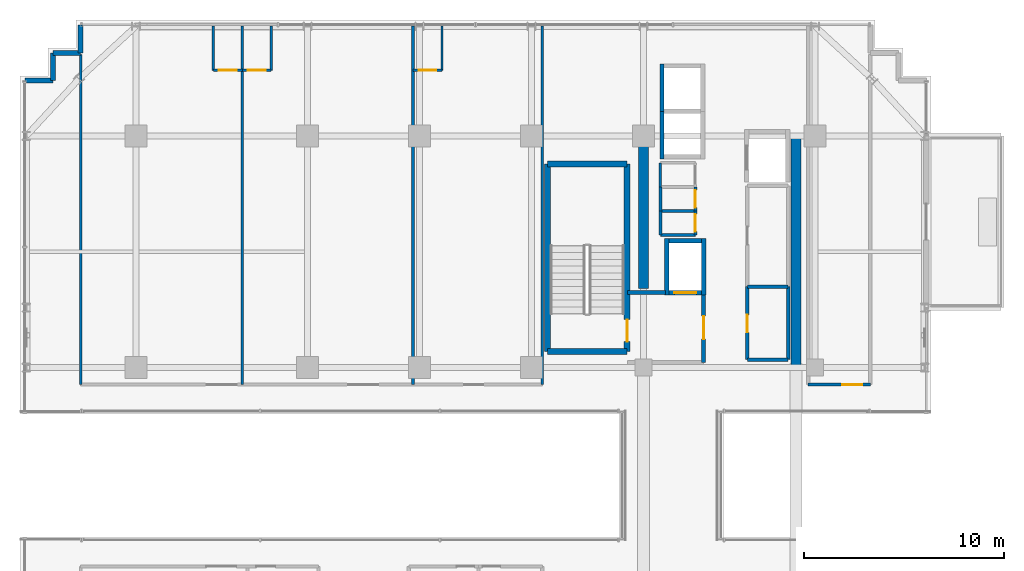
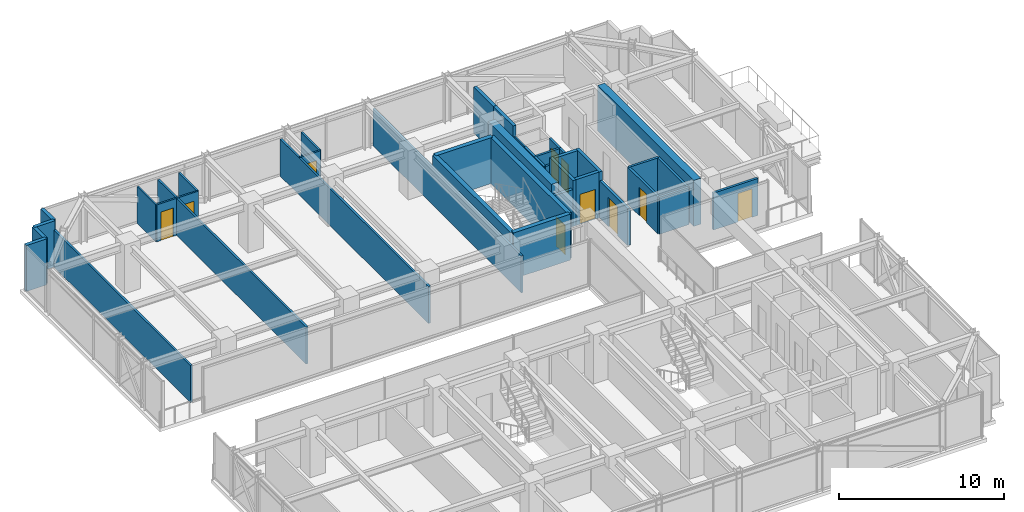
# One storey, part 33 of 38: 40 walls, 10 doors, 10 openings.
"""IFC4 building model written with IfcOpenShell, lengths in metres."""

from ifc_helpers import new_model, si_unit, direction, frame, frame_2d, origin, place, context, subcontext, project, spatial, rectangle, extrude, source, transform, mapped, material, layer, layer_set, type_object, element, fill, save


model = new_model("IFC4")

# Units and contexts
model_context = context("Model", 3, precision=1e-05, world=origin(), true_north=direction((0.0, 1.0)))
body_context = subcontext(model_context, "Body", "Model", "MODEL_VIEW")
ifc_project = project(units=[si_unit("LENGTHUNIT", "METRE"), si_unit("AREAUNIT", "SQUARE_METRE"), si_unit("VOLUMEUNIT", "CUBIC_METRE"), si_unit("PLANEANGLEUNIT", "RADIAN"), si_unit("MASSUNIT", "GRAM", prefix="KILO")], contexts=[model_context])

# Site, building, storey
site_placement = place(None, origin())
site = spatial("IfcSite", under=ifc_project, at=site_placement, CompositionType="ELEMENT")
building_placement = place(site_placement, origin())
building = spatial("IfcBuilding", under=site, at=building_placement, Name="Nahalor Promenade Grand Hotel", CompositionType="ELEMENT")
storey_placement = place(building_placement, frame((0.0, 0.0, 178.199951171875)))
storey = spatial("IfcBuildingStorey", under=building, at=storey_placement, Name="L45", CompositionType="ELEMENT", Elevation=178.199951171875)

# Walls
ifc_material_1 = material(Name="Concrete B-60 (C50/60)", Category="concrete")
ifc_layer_1 = layer(ifc_material_1, 0.5)
ifc_layer_set_1 = layer_set([ifc_layer_1], Name="Concrete B-60 (C50/60)")
wall_type_1 = type_object("IfcWallType", Name="Wall-CoreShear-500", PredefinedType="SHEAR", material=ifc_layer_set_1)
shared_shape_1 = source(origin(), body_context, "Body", "SweptSolid", [
    extrude(rectangle(XDim=7.64990234375, YDim=0.5, at=frame_2d((3.824951171875, 0.0))), origin(), (0.0, 0.0, 1.0), 3.39013671875),
])
wall_1_placement = place(storey_placement, frame((8.39990234375, 9.35009765625, 0.0), z_axis=(0.0, 0.0, 1.0), x_axis=(0.0, 1.0, 0.0)))
element("IfcWall", 1, at=wall_1_placement, inside=storey, type_object=wall_type_1, Name="CWALL-L45-NW", PredefinedType="SHEAR", context=body_context, shape_type="MappedRepresentation", body=[
    mapped(shared_shape_1, transform((0.0, 0.0, 0.0), scale=1.0)),
])
shared_shape_2 = source(origin(), body_context, "Body", "SweptSolid", [
    extrude(rectangle(XDim=11.60009765625, YDim=0.5, at=frame_2d((5.800048828125, 0.0))), origin(), (0.0, 0.0, 1.0), 3.39013671875),
])
wall_2_placement = place(storey_placement, frame((16.050048828125, 5.39990234375, 0.0), z_axis=(0.0, 0.0, 1.0), x_axis=(0.0, 1.0, 0.0)))
element("IfcWall", 2, at=wall_2_placement, inside=storey, type_object=wall_type_1, Name="CWALL-L45-NE", PredefinedType="SHEAR", context=body_context, shape_type="MappedRepresentation", body=[
    mapped(shared_shape_2, transform((0.0, 0.0, 0.0), scale=1.0)),
])
ifc_material_2 = material(Name="Concrete B-50 (C40/50)", Category="concrete")
ifc_layer_2 = layer(ifc_material_2, 0.300048828125)
ifc_layer_set_2 = layer_set([ifc_layer_2], Name="Concrete B-50 (C40/50)")
wall_type_2 = type_object("IfcWallType", Name="Wall-ShaftShear-300", PredefinedType="SHEAR", material=ifc_layer_set_2)
shared_shape_3 = source(origin(), body_context, "Body", "SweptSolid", [
    extrude(rectangle(XDim=3.97998046875, YDim=0.300048828125, at=frame_2d((1.989990234375, 0.0))), origin(), (0.0, 0.0, 1.0), 3.39013671875),
])
for number, where, z_axis, x_axis, name in (
    (3, (3.610107421875, 6.2099609375, 0.0), (0.0, 0.0, 1.0), (1.0, 0.0, 0.0), "L45 Exit Stair ST1 Shaft Wall S"),
    (4, (3.610107421875, 15.590087890625, 0.0), (0.0, 0.0, 1.0), (1.0, 0.0, 0.0), "L45 Exit Stair ST1 Shaft Wall N"),
):
    element("IfcWall", number, at=place(storey_placement, frame(where, z_axis=z_axis, x_axis=x_axis)), inside=storey, type_object=wall_type_2, Name=name, PredefinedType="SHEAR", context=body_context, shape_type="MappedRepresentation", body=[
        mapped(shared_shape_3, transform((0.0, 0.0, 0.0), scale=1.0)),
    ])
shared_shape_4 = source(origin(), body_context, "Body", "SweptSolid", [
    extrude(rectangle(XDim=9.380126953125, YDim=0.300048828125, at=frame_2d((4.68994140625, 0.0))), origin(), (0.0, 0.0, 1.0), 3.39013671875),
])
wall_3_placement = place(storey_placement, frame((3.610107421875, 6.2099609375, 0.0), z_axis=(0.0, 0.0, 1.0), x_axis=(0.0, 1.0, 0.0)))
element("IfcWall", 5, at=wall_3_placement, inside=storey, type_object=wall_type_2, Name="L45 Exit Stair ST1 Shaft Wall W", PredefinedType="SHEAR", context=body_context, shape_type="MappedRepresentation", body=[
    mapped(shared_shape_4, transform((0.0, 0.0, 0.0), scale=1.0)),
])

# Wall, opening, door
wall_4_placement = place(storey_placement, frame((7.590087890625, 6.2099609375, 0.0), z_axis=(0.0, 0.0, 1.0), x_axis=(0.0, 1.0, 0.0)))
wall_4 = element("IfcWall", 6, at=wall_4_placement, inside=storey, type_object=wall_type_2, Name="L45 Exit Stair ST1 Shaft Wall E", PredefinedType="SHEAR", context=body_context, shape_type="MappedRepresentation", body=[
    mapped(shared_shape_4, transform((0.0, 0.0, 0.0), scale=1.0)),
])
opening_1_placement = place(wall_4_placement, frame((0.489990234375, 0.0, 0.0)))
opening_1 = element("IfcOpeningElement", 7, at=opening_1_placement, cuts=wall_4, Name="Opening D-ST1", PredefinedType="OPENING", context=body_context, shape_type="SweptSolid", body=[
    extrude(rectangle(XDim=1.10009765625, YDim=2.14990234375, at=frame_2d((0.550048828125, 1.074951171875))), frame((0.0, 0.159912109375, 0.0), z_axis=(0.0, -1.0, 0.0), x_axis=(1.0, 0.0, 0.0)), (0.0, 0.0, 1.0), 0.320068359375),
])
ifc_material_3 = material(Name="Steel S355JR", Category="steel")
door_type_1 = type_object("IfcDoorType", Name="Door-StairFire-1100", OperationType="NOTDEFINED", PredefinedType="DOOR", material=ifc_material_3)
shared_shape_5 = source(origin(), body_context, "Body", "SweptSolid", [
    extrude(rectangle(XDim=1.10009765625, YDim=2.14990234375, at=frame_2d((0.550048828125, 1.074951171875))), frame((0.0, 0.02490234375, 0.0), z_axis=(0.0, -1.0, 0.0), x_axis=(1.0, 0.0, 0.0)), (0.0, 0.0, 1.0), 0.050048828125),
])
door_1_placement = place(opening_1_placement, origin())
door_1 = element("IfcDoor", 8, at=door_1_placement, inside=storey, type_object=door_type_1, Name="DR-STAIR-ST1-L45", OperationType="SINGLE_SWING_RIGHT", OverallHeight=2.14990234375, OverallWidth=1.10009765625, PredefinedType="DOOR", context=body_context, shape_type="MappedRepresentation", body=[
    mapped(shared_shape_5, transform((0.0, 0.0, 0.0), scale=1.0)),
])
fill(opening_1, door_1)

# Walls
ifc_layer_3 = layer(ifc_material_2, 0.219970703125)
ifc_layer_set_3 = layer_set([ifc_layer_3], Name="Concrete B-50 (C40/50)")
wall_type_3 = type_object("IfcWallType", Name="Wall-LiftShaft-220", PredefinedType="SHEAR", material=ifc_layer_set_3)
shared_shape_6 = source(origin(), body_context, "Body", "SweptSolid", [
    extrude(rectangle(XDim=2.385009765625, YDim=0.219970703125, at=frame_2d((1.1923828125, 0.0))), origin(), (0.0, 0.0, 1.0), 3.39013671875),
])
for number, where, z_axis, x_axis, name in (
    (9, (9.330078125, 15.840087890625, 0.0), (0.0, 0.0, 1.0), (0.0, 1.0, 0.0), "L45 Lift OB1 Hoistway Wall W"),
    (10, (9.330078125, 18.22509765625, 0.0), (0.0, 0.0, 1.0), (0.0, 1.0, 0.0), "L45 Lift OB2 Hoistway Wall W"),
):
    element("IfcWall", number, at=place(storey_placement, frame(where, z_axis=z_axis, x_axis=x_axis)), inside=storey, type_object=wall_type_3, Name=name, PredefinedType="SHEAR", context=body_context, shape_type="MappedRepresentation", body=[
        mapped(shared_shape_6, transform((0.0, 0.0, 0.0), scale=1.0)),
    ])
shared_shape_7 = source(origin(), body_context, "Body", "SweptSolid", [
    extrude(rectangle(XDim=2.820068359375, YDim=0.219970703125, at=frame_2d((1.41015625, 0.0))), origin(), (0.0, 0.0, 1.0), 3.39013671875),
])
for number, where, z_axis, x_axis, name in (
    (11, (9.580078125, 9.0400390625, 0.0), (0.0, 0.0, 1.0), (0.0, 1.0, 0.0), "L45 Lift FL1 Hoistway Wall W"),
    (12, (11.419921875, 9.0400390625, 0.0), (0.0, 0.0, 1.0), (0.0, 1.0, 0.0), "L45 Lift FL1 Hoistway Wall E"),
):
    element("IfcWall", number, at=place(storey_placement, frame(where, z_axis=z_axis, x_axis=x_axis)), inside=storey, type_object=wall_type_3, Name=name, PredefinedType="SHEAR", context=body_context, shape_type="MappedRepresentation", body=[
        mapped(shared_shape_7, transform((0.0, 0.0, 0.0), scale=1.0)),
    ])

# Wall, opening, door
shared_shape_8 = source(origin(), body_context, "Body", "SweptSolid", [
    extrude(rectangle(XDim=1.6201171875, YDim=0.219970703125, at=frame_2d((0.81005859375, 0.0))), origin(), (0.0, 0.0, 1.0), 3.39013671875),
])
wall_5_placement = place(storey_placement, frame((9.68994140625, 9.14990234375, 0.0), z_axis=(0.0, 0.0, 1.0), x_axis=(1.0, 0.0, 0.0)))
wall_5 = element("IfcWall", 13, at=wall_5_placement, inside=storey, type_object=wall_type_3, Name="L45 Lift FL1 Hoistway Wall S", PredefinedType="SHEAR", context=body_context, shape_type="MappedRepresentation", body=[
    mapped(shared_shape_8, transform((0.0, 0.0, 0.0), scale=1.0)),
])
opening_2_placement = place(wall_5_placement, frame((0.260009765625, 0.0, 0.0)))
opening_2 = element("IfcOpeningElement", 14, at=opening_2_placement, cuts=wall_5, Name="Opening LD-02", PredefinedType="OPENING", context=body_context, shape_type="SweptSolid", body=[
    extrude(rectangle(XDim=1.10009765625, YDim=2.199951171875, at=frame_2d((0.550048828125, 1.10009765625))), frame((0.0, 0.119873046875, 0.0), z_axis=(0.0, -1.0, 0.0), x_axis=(1.0, 0.0, 0.0)), (0.0, 0.0, 1.0), 0.239990234375),
])
door_type_2 = type_object("IfcDoorType", Name="Door-LiftFF-1100", OperationType="DOUBLE_DOOR_SLIDING", PredefinedType="DOOR", material=ifc_material_3)
shared_shape_9 = source(origin(), body_context, "Body", "SweptSolid", [
    extrude(rectangle(XDim=1.10009765625, YDim=2.199951171875, at=frame_2d((0.550048828125, 1.10009765625))), frame((0.0, 0.02490234375, 0.0), z_axis=(0.0, -1.0, 0.0), x_axis=(1.0, 0.0, 0.0)), (0.0, 0.0, 1.0), 0.050048828125),
])
door_2_placement = place(opening_2_placement, frame((1.10009765625, 0.0, 0.0), z_axis=(0.0, 0.0, 1.0), x_axis=(-1.0, 0.0, 0.0)))
door_2 = element("IfcDoor", 15, at=door_2_placement, inside=storey, type_object=door_type_2, Name="DR-LIFT-FL1-L45", OperationType="DOUBLE_DOOR_SLIDING", OverallHeight=2.199951171875, OverallWidth=1.10009765625, PredefinedType="DOOR", context=body_context, shape_type="MappedRepresentation", body=[
    mapped(shared_shape_9, transform((0.0, 0.0, 0.0), scale=1.0)),
])
fill(opening_2, door_2)

# Walls
wall_6_placement = place(storey_placement, frame((9.68994140625, 11.75, 0.0), z_axis=(0.0, 0.0, 1.0), x_axis=(1.0, 0.0, 0.0)))
element("IfcWall", 16, at=wall_6_placement, inside=storey, type_object=wall_type_3, Name="L45 Lift FL1 Hoistway Wall N", PredefinedType="SHEAR", context=body_context, shape_type="MappedRepresentation", body=[
    mapped(shared_shape_8, transform((0.0, 0.0, 0.0), scale=1.0)),
])
ifc_material_4 = material(Name="Concrete B-40 (C32/40)", Category="concrete")
ifc_layer_4 = layer(ifc_material_4, 0.25)
ifc_layer_set_4 = layer_set([ifc_layer_4], Name="Concrete B-40 (C32/40)")
wall_type_4 = type_object("IfcWallType", Name="Wall-BronzePier-250", PredefinedType="STANDARD", material=ifc_layer_set_4)
shared_shape_10 = source(origin(), body_context, "Body", "SweptSolid", [
    extrude(rectangle(XDim=1.400146484375, YDim=0.25, at=frame_2d((0.7001953125, 0.0))), origin(), (0.0, 0.0, 1.0), 3.39013671875),
])
for number, where, z_axis, x_axis, name in (
    (17, (-19.760009765625, 21.159912109375, 0.0), (0.0, 0.0, 1.0), (0.0, 1.0, 0.0), "W-L45-SR-09"),
    (18, (-22.56005859375, 19.760009765625, 0.0), (0.0, 0.0, 1.0), (1.0, 0.0, 0.0), "W-L45-SR-12"),
):
    element("IfcWall", number, at=place(storey_placement, frame(where, z_axis=z_axis, x_axis=x_axis)), inside=storey, type_object=wall_type_4, Name=name, PredefinedType="STANDARD", context=body_context, shape_type="MappedRepresentation", body=[
        mapped(shared_shape_10, transform((0.0, 0.0, 0.0), scale=1.0)),
    ])
shared_shape_11 = source(origin(), body_context, "Body", "SweptSolid", [
    extrude(rectangle(XDim=1.39990234375, YDim=0.25, at=frame_2d((0.699951171875, 0.0))), origin(), (0.0, 0.0, 1.0), 3.39013671875),
])
for number, where, z_axis, x_axis, name in (
    (19, (-21.159912109375, 21.159912109375, 0.0), (0.0, 0.0, 1.0), (1.0, 0.0, 0.0), "W-L45-SR-10"),
    (20, (-21.159912109375, 19.760009765625, 0.0), (0.0, 0.0, 1.0), (0.0, 1.0, 0.0), "W-L45-SR-11"),
):
    element("IfcWall", number, at=place(storey_placement, frame(where, z_axis=z_axis, x_axis=x_axis)), inside=storey, type_object=wall_type_4, Name=name, PredefinedType="STANDARD", context=body_context, shape_type="MappedRepresentation", body=[
        mapped(shared_shape_11, transform((0.0, 0.0, 0.0), scale=1.0)),
    ])
ifc_layer_5 = layer(ifc_material_4, 0.199951171875)
ifc_layer_set_5 = layer_set([ifc_layer_5], Name="Concrete B-40 (C32/40)")
wall_type_5 = type_object("IfcWallType", Name="Wall-PartFire-200", PredefinedType="PARTITIONING", material=ifc_layer_set_5)
shared_shape_12 = source(origin(), body_context, "Body", "SweptSolid", [
    extrude(rectangle(XDim=1.89990234375, YDim=0.199951171875, at=frame_2d((0.949951171875, 0.0))), origin(), (0.0, 0.0, 1.0), 2.72998046875),
])
wall_7_placement = place(storey_placement, frame((7.60009765625, 9.14990234375, 0.0), z_axis=(0.0, 0.0, 1.0), x_axis=(1.0, 0.0, 0.0)))
element("IfcWall", 21, at=wall_7_placement, inside=storey, type_object=wall_type_5, Name="W-L45-FF1-N", PredefinedType="PARTITIONING", context=body_context, shape_type="MappedRepresentation", body=[
    mapped(shared_shape_12, transform((0.0, 0.0, 0.0), scale=1.0)),
])

# Wall, opening, door
shared_shape_13 = source(origin(), body_context, "Body", "SweptSolid", [
    extrude(rectangle(XDim=3.5, YDim=0.199951171875, at=frame_2d((1.75, 0.0))), origin(), (0.0, 0.0, 1.0), 2.72998046875),
])
wall_8_placement = place(storey_placement, frame((11.419921875, 5.64990234375, 0.0), z_axis=(0.0, 0.0, 1.0), x_axis=(0.0, 1.0, 0.0)))
wall_8 = element("IfcWall", 22, at=wall_8_placement, inside=storey, type_object=wall_type_5, Name="W-L45-FF1-E", PredefinedType="PARTITIONING", context=body_context, shape_type="MappedRepresentation", body=[
    mapped(shared_shape_13, transform((0.0, 0.0, 0.0), scale=1.0)),
])
opening_3_placement = place(wall_8_placement, frame((1.175048828125, 0.0, 0.0)))
opening_3 = element("IfcOpeningElement", 23, at=opening_3_placement, cuts=wall_8, Name="Opening D-FF1", PredefinedType="OPENING", context=body_context, shape_type="SweptSolid", body=[
    extrude(rectangle(XDim=1.14990234375, YDim=2.14990234375, at=frame_2d((0.574951171875, 1.074951171875))), frame((0.0, 0.10986328125, 0.0), z_axis=(0.0, -1.0, 0.0), x_axis=(1.0, 0.0, 0.0)), (0.0, 0.0, 1.0), 0.219970703125),
])
door_type_3 = type_object("IfcDoorType", Name="Door-FFLobby-1150", OperationType="NOTDEFINED", PredefinedType="DOOR", material=ifc_material_3)
shared_shape_14 = source(origin(), body_context, "Body", "SweptSolid", [
    extrude(rectangle(XDim=1.14990234375, YDim=2.14990234375, at=frame_2d((0.574951171875, 1.074951171875))), frame((0.0, 0.02490234375, 0.0), z_axis=(0.0, -1.0, 0.0), x_axis=(1.0, 0.0, 0.0)), (0.0, 0.0, 1.0), 0.050048828125),
])
door_3_placement = place(opening_3_placement, frame((1.14990234375, 0.0, 0.0), z_axis=(0.0, 0.0, 1.0), x_axis=(-1.0, 0.0, 0.0)))
door_3 = element("IfcDoor", 24, at=door_3_placement, inside=storey, type_object=door_type_3, Name="DR-L45-FFL1", OperationType="SINGLE_SWING_LEFT", OverallHeight=2.14990234375, OverallWidth=1.14990234375, PredefinedType="DOOR", context=body_context, shape_type="MappedRepresentation", body=[
    mapped(shared_shape_14, transform((0.0, 0.0, 0.0), scale=1.0)),
])
fill(opening_3, door_3)

# Walls
ifc_material_5 = material(Name="Acoustic Mineral Gypsum", Category="gypsum")
ifc_layer_6 = layer(ifc_material_5, 0.14990234375)
ifc_layer_set_6 = layer_set([ifc_layer_6], Name="Acoustic Mineral Gypsum")
wall_type_6 = type_object("IfcWallType", Name="Wall-PartService-150", PredefinedType="PARTITIONING", material=ifc_layer_set_6)
shared_shape_15 = source(origin(), body_context, "Body", "SweptSolid", [
    extrude(rectangle(XDim=1.75, YDim=0.14990234375, at=frame_2d((0.875, 0.0))), origin(), (0.0, 0.0, 1.0), 2.72998046875),
])
for number, where, z_axis, x_axis, name in (
    (25, (9.25, 12.050048828125, 0.0), (0.0, 0.0, 1.0), (1.0, 0.0, 0.0), "W-L45-CK3A-S"),
    (26, (9.25, 13.25, 0.0), (0.0, 0.0, 1.0), (1.0, 0.0, 0.0), "W-L45-CK3A-N"),
):
    element("IfcWall", number, at=place(storey_placement, frame(where, z_axis=z_axis, x_axis=x_axis)), inside=storey, type_object=wall_type_6, Name=name, PredefinedType="PARTITIONING", context=body_context, shape_type="MappedRepresentation", body=[
        mapped(shared_shape_15, transform((0.0, 0.0, 0.0), scale=1.0)),
    ])
ifc_layer_7 = layer(ifc_material_5, 0.159912109375)
ifc_layer_set_7 = layer_set([ifc_layer_7], Name="Acoustic Mineral Gypsum")
wall_type_7 = type_object("IfcWallType", Name="Wall-PartCorridor-160", PredefinedType="PARTITIONING", material=ifc_layer_set_7)
shared_shape_16 = source(origin(), body_context, "Body", "SweptSolid", [
    extrude(rectangle(XDim=2.0498046875, YDim=0.159912109375, at=frame_2d((1.02490234375, 0.0))), origin(), (0.0, 0.0, 1.0), 2.72998046875),
])
for number, where, z_axis, x_axis, name in (
    (27, (13.60009765625, 5.800048828125, 0.0), (0.0, 0.0, 1.0), (1.0, 0.0, 0.0), "W-L45-FRB1A-S"),
    (28, (13.60009765625, 9.449951171875, 0.0), (0.0, 0.0, 1.0), (1.0, 0.0, 0.0), "W-L45-FRB1A-N"),
):
    element("IfcWall", number, at=place(storey_placement, frame(where, z_axis=z_axis, x_axis=x_axis)), inside=storey, type_object=wall_type_7, Name=name, PredefinedType="PARTITIONING", context=body_context, shape_type="MappedRepresentation", body=[
        mapped(shared_shape_16, transform((0.0, 0.0, 0.0), scale=1.0)),
    ])

# Wall, opening, door
shared_shape_17 = source(origin(), body_context, "Body", "SweptSolid", [
    extrude(rectangle(XDim=3.110107421875, YDim=0.159912109375, at=frame_2d((1.55517578125, 0.0))), origin(), (0.0, 0.0, 1.0), 2.72998046875),
])
wall_9_placement = place(storey_placement, frame((16.64990234375, 4.550048828125, 0.0), z_axis=(0.0, 0.0, 1.0), x_axis=(1.0, 0.0, 0.0)))
wall_9 = element("IfcWall", 29, at=wall_9_placement, inside=storey, type_object=wall_type_7, Name="W-L45-ENE-S", PredefinedType="PARTITIONING", context=body_context, shape_type="MappedRepresentation", body=[
    mapped(shared_shape_17, transform((0.0, 0.0, 0.0), scale=1.0)),
])
opening_4_placement = place(wall_9_placement, frame((1.700927734375, 0.0, 0.0)))
opening_4 = element("IfcOpeningElement", 30, at=opening_4_placement, cuts=wall_9, Name="Opening D-04", PredefinedType="OPENING", context=body_context, shape_type="SweptSolid", body=[
    extrude(rectangle(XDim=1.0, YDim=2.10009765625, at=frame_2d((0.5, 1.050048828125))), frame((0.0, 0.08984375, 0.0), z_axis=(0.0, -1.0, 0.0), x_axis=(1.0, 0.0, 0.0)), (0.0, 0.0, 1.0), 0.179931640625),
])
door_type_4 = type_object("IfcDoorType", Name="Door-ServiceFire-1000", OperationType="NOTDEFINED", PredefinedType="DOOR", material=ifc_material_3)
shared_shape_18 = source(origin(), body_context, "Body", "SweptSolid", [
    extrude(rectangle(XDim=1.0, YDim=2.10009765625, at=frame_2d((0.5, 1.050048828125))), frame((0.0, 0.02490234375, 0.0), z_axis=(0.0, -1.0, 0.0), x_axis=(1.0, 0.0, 0.0)), (0.0, 0.0, 1.0), 0.050048828125),
])
door_4_placement = place(opening_4_placement, origin())
door_4 = element("IfcDoor", 31, at=door_4_placement, inside=storey, type_object=door_type_4, Name="DR-L45-ENE", OperationType="SINGLE_SWING_RIGHT", OverallHeight=2.10009765625, OverallWidth=1.0, PredefinedType="DOOR", context=body_context, shape_type="MappedRepresentation", body=[
    mapped(shared_shape_18, transform((0.0, 0.0, 0.0), scale=1.0)),
])
fill(opening_4, door_4)

ifc_layer_8 = layer(ifc_material_5, 0.1201171875)
ifc_layer_set_8 = layer_set([ifc_layer_8], Name="Acoustic Mineral Gypsum")
wall_type_8 = type_object("IfcWallType", Name="Wall-PartBath-120", PredefinedType="PARTITIONING", material=ifc_layer_set_8)
shared_shape_19 = source(origin(), body_context, "Body", "SweptSolid", [
    extrude(rectangle(XDim=1.449951171875, YDim=0.1201171875, at=frame_2d((0.72509765625, 0.0))), origin(), (0.0, 0.0, 1.0), 2.72998046875),
])
wall_10_placement = place(storey_placement, frame((-13.125, 20.280029296875, 0.0), z_axis=(0.0, 0.0, 1.0), x_axis=(1.0, 0.0, 0.0)))
wall_10 = element("IfcWall", 32, at=wall_10_placement, inside=storey, type_object=wall_type_8, Name="W-L45-N1-BH", PredefinedType="PARTITIONING", context=body_context, shape_type="MappedRepresentation", body=[
    mapped(shared_shape_19, transform((0.0, 0.0, 0.0), scale=1.0)),
])
opening_5_placement = place(wall_10_placement, frame((0.284912109375, 0.0, 0.0)))
opening_5 = element("IfcOpeningElement", 33, at=opening_5_placement, cuts=wall_10, Name="Opening D-03", PredefinedType="OPENING", context=body_context, shape_type="SweptSolid", body=[
    extrude(rectangle(XDim=0.8798828125, YDim=2.10009765625, at=frame_2d((0.43994140625, 1.050048828125))), frame((0.0, 0.070068359375, 0.0), z_axis=(0.0, -1.0, 0.0), x_axis=(1.0, 0.0, 0.0)), (0.0, 0.0, 1.0), 0.14013671875),
])
ifc_material_6 = material(Name="Fire-Rated Timber Composite", Category="wood")
door_type_5 = type_object("IfcDoorType", Name="Door-BathSwing-880", OperationType="NOTDEFINED", PredefinedType="DOOR", material=ifc_material_6)
shared_shape_20 = source(origin(), body_context, "Body", "SweptSolid", [
    extrude(rectangle(XDim=0.8798828125, YDim=2.10009765625, at=frame_2d((0.43994140625, 1.050048828125))), frame((0.0, 0.02490234375, 0.0), z_axis=(0.0, -1.0, 0.0), x_axis=(1.0, 0.0, 0.0)), (0.0, 0.0, 1.0), 0.050048828125),
])
door_5_placement = place(opening_5_placement, origin())
door_5 = element("IfcDoor", 34, at=door_5_placement, inside=storey, type_object=door_type_5, Name="DR-L45-N1-BATH", OperationType="SINGLE_SWING_RIGHT", OverallHeight=2.10009765625, OverallWidth=0.8798828125, PredefinedType="DOOR", context=body_context, shape_type="MappedRepresentation", body=[
    mapped(shared_shape_20, transform((0.0, 0.0, 0.0), scale=1.0)),
])
fill(opening_5, door_5)

wall_11_placement = place(storey_placement, frame((-11.675048828125, 20.280029296875, 0.0), z_axis=(0.0, 0.0, 1.0), x_axis=(1.0, 0.0, 0.0)))
wall_11 = element("IfcWall", 35, at=wall_11_placement, inside=storey, type_object=wall_type_8, Name="W-L45-N2-BH", PredefinedType="PARTITIONING", context=body_context, shape_type="MappedRepresentation", body=[
    mapped(shared_shape_19, transform((0.0, 0.0, 0.0), scale=1.0)),
])
opening_6_placement = place(wall_11_placement, frame((0.284912109375, 0.0, 0.0)))
opening_6 = element("IfcOpeningElement", 36, at=opening_6_placement, cuts=wall_11, Name="Opening D-03", PredefinedType="OPENING", context=body_context, shape_type="SweptSolid", body=[
    extrude(rectangle(XDim=0.8798828125, YDim=2.10009765625, at=frame_2d((0.43994140625, 1.050048828125))), frame((0.0, 0.070068359375, 0.0), z_axis=(0.0, -1.0, 0.0), x_axis=(1.0, 0.0, 0.0)), (0.0, 0.0, 1.0), 0.14013671875),
])
door_6_placement = place(opening_6_placement, origin())
door_6 = element("IfcDoor", 37, at=door_6_placement, inside=storey, type_object=door_type_5, Name="DR-L45-N2-BATH", OperationType="SINGLE_SWING_LEFT", OverallHeight=2.10009765625, OverallWidth=0.8798828125, PredefinedType="DOOR", context=body_context, shape_type="MappedRepresentation", body=[
    mapped(shared_shape_20, transform((0.0, 0.0, 0.0), scale=1.0)),
])
fill(opening_6, door_6)

wall_12_placement = place(storey_placement, frame((-3.1279296875, 20.280029296875, 0.0), z_axis=(0.0, 0.0, 1.0), x_axis=(1.0, 0.0, 0.0)))
wall_12 = element("IfcWall", 38, at=wall_12_placement, inside=storey, type_object=wall_type_8, Name="W-L45-N3-BH", PredefinedType="PARTITIONING", context=body_context, shape_type="MappedRepresentation", body=[
    mapped(shared_shape_19, transform((0.0, 0.0, 0.0), scale=1.0)),
])
opening_7_placement = place(wall_12_placement, frame((0.284912109375, 0.0, 0.0)))
opening_7 = element("IfcOpeningElement", 39, at=opening_7_placement, cuts=wall_12, Name="Opening D-03", PredefinedType="OPENING", context=body_context, shape_type="SweptSolid", body=[
    extrude(rectangle(XDim=0.8798828125, YDim=2.10009765625, at=frame_2d((0.43994140625, 1.050048828125))), frame((0.0, 0.070068359375, 0.0), z_axis=(0.0, -1.0, 0.0), x_axis=(1.0, 0.0, 0.0)), (0.0, 0.0, 1.0), 0.14013671875),
])
door_7_placement = place(opening_7_placement, origin())
door_7 = element("IfcDoor", 40, at=door_7_placement, inside=storey, type_object=door_type_5, Name="DR-L45-N3-BATH", OperationType="SINGLE_SWING_RIGHT", OverallHeight=2.10009765625, OverallWidth=0.8798828125, PredefinedType="DOOR", context=body_context, shape_type="MappedRepresentation", body=[
    mapped(shared_shape_20, transform((0.0, 0.0, 0.0), scale=1.0)),
])
fill(opening_7, door_7)

# Walls
shared_shape_21 = source(origin(), body_context, "Body", "SweptSolid", [
    extrude(rectangle(XDim=2.219970703125, YDim=0.1201171875, at=frame_2d((1.10986328125, 0.0))), origin(), (0.0, 0.0, 1.0), 2.72998046875),
])
for number, where, z_axis, x_axis, name in (
    (41, (-13.125, 20.280029296875, 0.0), (0.0, 0.0, 1.0), (0.0, 1.0, 0.0), "W-L45-N1-BV"),
    (42, (-10.22509765625, 20.280029296875, 0.0), (0.0, 0.0, 1.0), (0.0, 1.0, 0.0), "W-L45-N2-BV"),
    (43, (-1.677978515625, 20.280029296875, 0.0), (0.0, 0.0, 1.0), (0.0, 1.0, 0.0), "W-L45-N3-BV"),
):
    element("IfcWall", number, at=place(storey_placement, frame(where, z_axis=z_axis, x_axis=x_axis)), inside=storey, type_object=wall_type_8, Name=name, PredefinedType="PARTITIONING", context=body_context, shape_type="MappedRepresentation", body=[
        mapped(shared_shape_21, transform((0.0, 0.0, 0.0), scale=1.0)),
    ])
ifc_layer_9 = layer(ifc_material_5, 0.139892578125)
ifc_layer_set_9 = layer_set([ifc_layer_9], Name="Acoustic Mineral Gypsum")
wall_type_9 = type_object("IfcWallType", Name="Wall-PartSuite-140", PredefinedType="PARTITIONING", material=ifc_layer_set_9)
shared_shape_22 = source(origin(), body_context, "Body", "SweptSolid", [
    extrude(rectangle(XDim=17.949951171875, YDim=0.139892578125, at=frame_2d((8.97509765625, 0.0))), origin(), (0.0, 0.0, 1.0), 2.72998046875),
])
for number, where, z_axis, x_axis, name in (
    (44, (3.340087890625, 4.550048828125, 0.0), (0.0, 0.0, 1.0), (0.0, 1.0, 0.0), "W-L45-NW-ENDE"),
    (45, (-11.675048828125, 4.550048828125, 0.0), (0.0, 0.0, 1.0), (0.0, 1.0, 0.0), "W-L45-NP-1"),
    (46, (-3.1279296875, 4.550048828125, 0.0), (0.0, 0.0, 1.0), (0.0, 1.0, 0.0), "W-L45-NP-2"),
):
    element("IfcWall", number, at=place(storey_placement, frame(where, z_axis=z_axis, x_axis=x_axis)), inside=storey, type_object=wall_type_9, Name=name, PredefinedType="PARTITIONING", context=body_context, shape_type="MappedRepresentation", body=[
        mapped(shared_shape_22, transform((0.0, 0.0, 0.0), scale=1.0)),
    ])
shared_shape_23 = source(origin(), body_context, "Body", "SweptSolid", [
    extrude(rectangle(XDim=1.199951171875, YDim=0.14990234375, at=frame_2d((0.60009765625, 0.0))), origin(), (0.0, 0.0, 1.0), 2.72998046875),
])
wall_13_placement = place(storey_placement, frame((9.25, 12.050048828125, 0.0), z_axis=(0.0, 0.0, 1.0), x_axis=(0.0, 1.0, 0.0)))
element("IfcWall", 47, at=wall_13_placement, inside=storey, type_object=wall_type_6, Name="W-L45-CK3A-W", PredefinedType="PARTITIONING", context=body_context, shape_type="MappedRepresentation", body=[
    mapped(shared_shape_23, transform((0.0, 0.0, 0.0), scale=1.0)),
])

# Wall, opening, door
wall_14_placement = place(storey_placement, frame((11.0, 12.050048828125, 0.0), z_axis=(0.0, 0.0, 1.0), x_axis=(0.0, 1.0, 0.0)))
wall_14 = element("IfcWall", 48, at=wall_14_placement, inside=storey, type_object=wall_type_6, Name="W-L45-CK3A-E", PredefinedType="PARTITIONING", context=body_context, shape_type="MappedRepresentation", body=[
    mapped(shared_shape_23, transform((0.0, 0.0, 0.0), scale=1.0)),
])
opening_8_placement = place(wall_14_placement, frame((0.159912109375, 0.0, 0.0)))
opening_8 = element("IfcOpeningElement", 49, at=opening_8_placement, cuts=wall_14, Name="Opening D-03", PredefinedType="OPENING", context=body_context, shape_type="SweptSolid", body=[
    extrude(rectangle(XDim=0.8798828125, YDim=2.10009765625, at=frame_2d((0.43994140625, 1.050048828125))), frame((0.0, 0.0849609375, 0.0), z_axis=(0.0, -1.0, 0.0), x_axis=(1.0, 0.0, 0.0)), (0.0, 0.0, 1.0), 0.169921875),
])
door_8_placement = place(opening_8_placement, origin())
door_8 = element("IfcDoor", 50, at=door_8_placement, inside=storey, type_object=door_type_5, Name="DR-L45-CK3A", OperationType="SINGLE_SWING_LEFT", OverallHeight=2.10009765625, OverallWidth=0.8798828125, PredefinedType="DOOR", context=body_context, shape_type="MappedRepresentation", body=[
    mapped(shared_shape_20, transform((0.0, 0.0, 0.0), scale=1.0)),
])
fill(opening_8, door_8)

# Wall
wall_15_placement = place(storey_placement, frame((9.25, 13.25, 0.0), z_axis=(0.0, 0.0, 1.0), x_axis=(0.0, 1.0, 0.0)))
element("IfcWall", 51, at=wall_15_placement, inside=storey, type_object=wall_type_6, Name="W-L45-CK3B-W", PredefinedType="PARTITIONING", context=body_context, shape_type="MappedRepresentation", body=[
    mapped(shared_shape_23, transform((0.0, 0.0, 0.0), scale=1.0)),
])

# Wall, opening, door
wall_16_placement = place(storey_placement, frame((11.0, 13.25, 0.0), z_axis=(0.0, 0.0, 1.0), x_axis=(0.0, 1.0, 0.0)))
wall_16 = element("IfcWall", 52, at=wall_16_placement, inside=storey, type_object=wall_type_6, Name="W-L45-CK3B-E", PredefinedType="PARTITIONING", context=body_context, shape_type="MappedRepresentation", body=[
    mapped(shared_shape_23, transform((0.0, 0.0, 0.0), scale=1.0)),
])
opening_9_placement = place(wall_16_placement, frame((0.159912109375, 0.0, 0.0)))
opening_9 = element("IfcOpeningElement", 53, at=opening_9_placement, cuts=wall_16, Name="Opening D-03", PredefinedType="OPENING", context=body_context, shape_type="SweptSolid", body=[
    extrude(rectangle(XDim=0.8798828125, YDim=2.10009765625, at=frame_2d((0.43994140625, 1.050048828125))), frame((0.0, 0.0849609375, 0.0), z_axis=(0.0, -1.0, 0.0), x_axis=(1.0, 0.0, 0.0)), (0.0, 0.0, 1.0), 0.169921875),
])
door_9_placement = place(opening_9_placement, origin())
door_9 = element("IfcDoor", 54, at=door_9_placement, inside=storey, type_object=door_type_5, Name="DR-L45-CK3B", OperationType="SINGLE_SWING_RIGHT", OverallHeight=2.10009765625, OverallWidth=0.8798828125, PredefinedType="DOOR", context=body_context, shape_type="MappedRepresentation", body=[
    mapped(shared_shape_20, transform((0.0, 0.0, 0.0), scale=1.0)),
])
fill(opening_9, door_9)

# Wall
shared_shape_24 = source(origin(), body_context, "Body", "SweptSolid", [
    extrude(rectangle(XDim=1.199951171875, YDim=0.1201171875, at=frame_2d((0.60009765625, 0.0))), origin(), (0.0, 0.0, 1.0), 2.72998046875),
])
wall_17_placement = place(storey_placement, frame((9.25, 14.449951171875, 0.0), z_axis=(0.0, 0.0, 1.0), x_axis=(0.0, 1.0, 0.0)))
element("IfcWall", 55, at=wall_17_placement, inside=storey, type_object=wall_type_8, Name="W-L45-CK3C-W", PredefinedType="PARTITIONING", context=body_context, shape_type="MappedRepresentation", body=[
    mapped(shared_shape_24, transform((0.0, 0.0, 0.0), scale=1.0)),
])

# Wall, opening, door
shared_shape_25 = source(origin(), body_context, "Body", "SweptSolid", [
    extrude(rectangle(XDim=3.64990234375, YDim=0.159912109375, at=frame_2d((1.824951171875, 0.0))), origin(), (0.0, 0.0, 1.0), 2.72998046875),
])
wall_18_placement = place(storey_placement, frame((13.60009765625, 5.800048828125, 0.0), z_axis=(0.0, 0.0, 1.0), x_axis=(0.0, 1.0, 0.0)))
wall_18 = element("IfcWall", 56, at=wall_18_placement, inside=storey, type_object=wall_type_7, Name="W-L45-FRB1A-W", PredefinedType="PARTITIONING", context=body_context, shape_type="MappedRepresentation", body=[
    mapped(shared_shape_25, transform((0.0, 0.0, 0.0), scale=1.0)),
])
opening_10_placement = place(wall_18_placement, frame((1.360107421875, 0.0, 0.0)))
opening_10 = element("IfcOpeningElement", 57, at=opening_10_placement, cuts=wall_18, Name="Opening D-03", PredefinedType="OPENING", context=body_context, shape_type="SweptSolid", body=[
    extrude(rectangle(XDim=0.8798828125, YDim=2.10009765625, at=frame_2d((0.43994140625, 1.050048828125))), frame((0.0, 0.08984375, 0.0), z_axis=(0.0, -1.0, 0.0), x_axis=(1.0, 0.0, 0.0)), (0.0, 0.0, 1.0), 0.179931640625),
])
door_10_placement = place(opening_10_placement, frame((0.8798828125, 0.0, 0.0), z_axis=(0.0, 0.0, 1.0), x_axis=(-1.0, 0.0, 0.0)))
door_10 = element("IfcDoor", 58, at=door_10_placement, inside=storey, type_object=door_type_5, Name="DR-L45-FRB1A", OperationType="SINGLE_SWING_RIGHT", OverallHeight=2.10009765625, OverallWidth=0.8798828125, PredefinedType="DOOR", context=body_context, shape_type="MappedRepresentation", body=[
    mapped(shared_shape_20, transform((0.0, 0.0, 0.0), scale=1.0)),
])
fill(opening_10, door_10)

# Walls
wall_19_placement = place(storey_placement, frame((15.64990234375, 5.800048828125, 0.0), z_axis=(0.0, 0.0, 1.0), x_axis=(0.0, 1.0, 0.0)))
element("IfcWall", 59, at=wall_19_placement, inside=storey, type_object=wall_type_7, Name="W-L45-FRB1A-E", PredefinedType="PARTITIONING", context=body_context, shape_type="MappedRepresentation", body=[
    mapped(shared_shape_25, transform((0.0, 0.0, 0.0), scale=1.0)),
])
shared_shape_26 = source(origin(), body_context, "Body", "SweptSolid", [
    extrude(rectangle(XDim=16.530029296875, YDim=0.139892578125, at=frame_2d((8.26513671875, 0.0))), origin(), (0.0, 0.0, 1.0), 2.72998046875),
])
wall_20_placement = place(storey_placement, frame((-19.760009765625, 4.550048828125, 0.0), z_axis=(0.0, 0.0, 1.0), x_axis=(0.0, 1.0, 0.0)))
element("IfcWall", 60, at=wall_20_placement, inside=storey, type_object=wall_type_9, Name="W-L45-NW-ENDW", PredefinedType="PARTITIONING", context=body_context, shape_type="MappedRepresentation", body=[
    mapped(shared_shape_26, transform((0.0, 0.0, 0.0), scale=1.0)),
])

save(model, "model.ifc")
